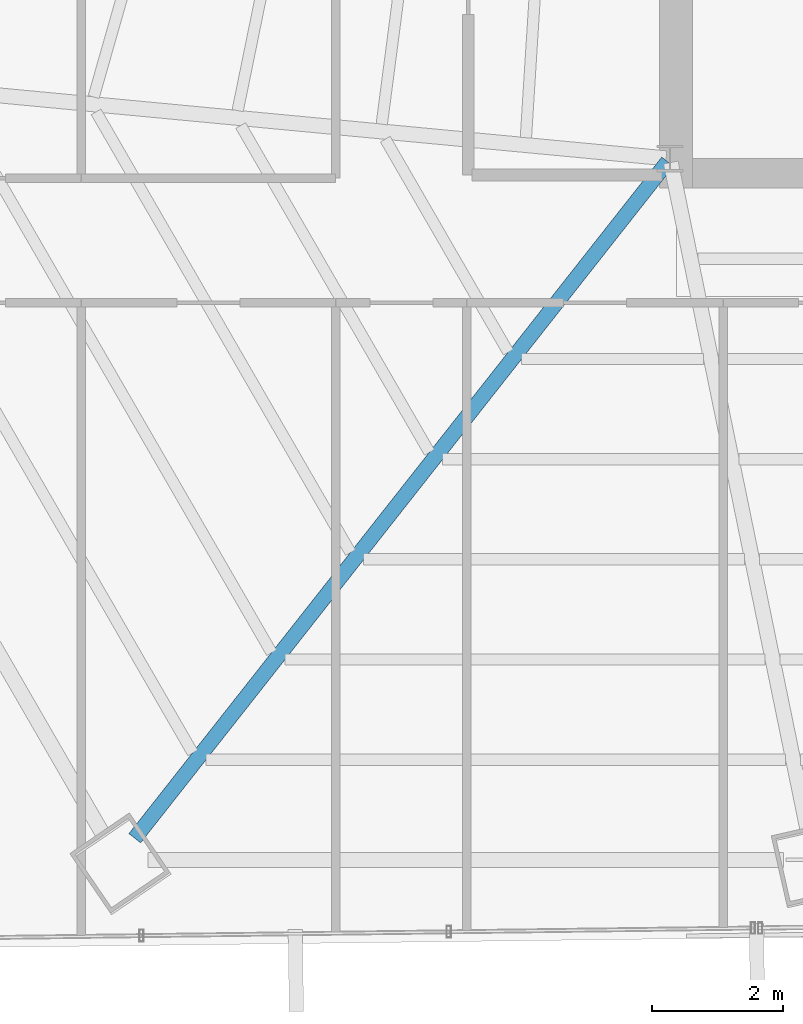
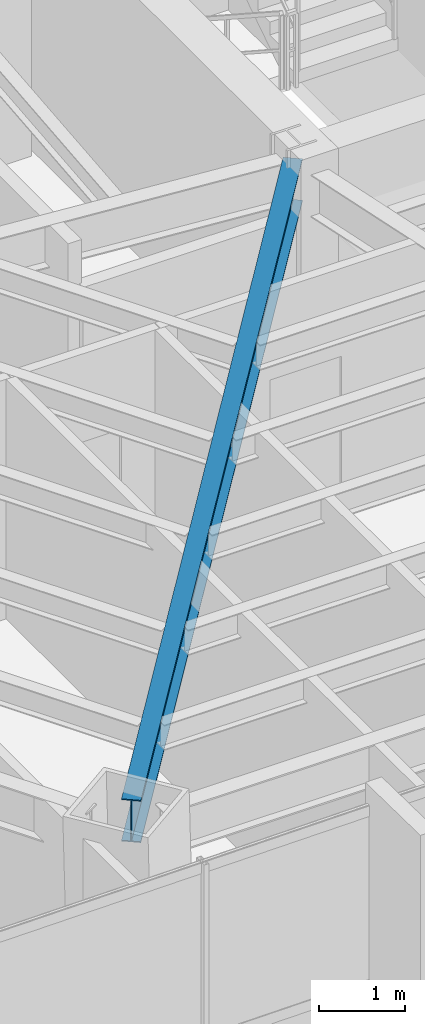
# One storey, part 6 of 37: 1 beam.
"""IFC4 building model written with IfcOpenShell, lengths in metres."""

import ifcopenshell
import ifcopenshell.guid

model = None  # the IFC model being written
_history = None  # IfcOwnerHistory: only IFC2X3 demands one
_inside = {}  # id of a spatial element -> (the spatial element, [elements in it])
_under = {}  # id of a project, library or spatial element -> (it, [spatial elements below it])
_declared = {}  # id of a project -> (the project, [libraries it declares])
_typed = {}  # id of a type object -> (the type object, [elements of that type])
_made_of = {}  # id of a material, layer set ... -> (it, [elements and type objects made of it])


def new_model(schema):
    """Start an empty IFC model of exactly this schema.

    Asked for "IFC4X3", IfcOpenShell would pick the latest addendum, in which some entities
    have other attributes; the version numbers below select the first issue.
    IFC2X3 requires an IfcOwnerHistory on every rooted entity: one is made here for all.
    """
    global model, _history
    if schema == "IFC4X3":
        model = ifcopenshell.file(schema_version=(4, 3, 0, 0))
    else:
        model = ifcopenshell.file(schema=schema)
    _inside.clear()
    _under.clear()
    _declared.clear()
    _typed.clear()
    _made_of.clear()
    _history = None
    if model.schema == "IFC2X3":
        org = make("IfcOrganization", Name="unknown")
        user = make(
            "IfcPersonAndOrganization",
            ThePerson=make("IfcPerson", FamilyName="unknown"),
            TheOrganization=org,
        )
        app = make(
            "IfcApplication",
            ApplicationDeveloper=org,
            Version="unknown",
            ApplicationFullName="unknown",
            ApplicationIdentifier="unknown",
        )
        _history = make(
            "IfcOwnerHistory",
            OwningUser=user,
            OwningApplication=app,
            ChangeAction="ADDED",
            CreationDate=0,
        )
    return model


def make(cls, **values):
    """One entity of the class cls with the attributes given. An attribute that is None is left unset."""
    return model.create_entity(
        cls, **{name: value for name, value in values.items() if value is not None}
    )


def rooted(cls, **values):
    """An entity with a GlobalId (a new one), such as an element, a storey or a relation."""
    return make(cls, GlobalId=ifcopenshell.guid.new(), OwnerHistory=_history, **values)


def si_unit(unit_type, name, prefix=None):
    """IfcSIUnit, for example si_unit("LENGTHUNIT", "METRE", prefix="MILLI")."""
    return make("IfcSIUnit", UnitType=unit_type, Prefix=prefix, Name=name)


def assignment(units):
    """IfcUnitAssignment: the units of a project."""
    return None if units is None else make("IfcUnitAssignment", Units=units)


def point(xyz):
    """IfcCartesianPoint."""
    return None if xyz is None else make("IfcCartesianPoint", Coordinates=xyz)


def direction(xyz):
    """IfcDirection."""
    return None if xyz is None else make("IfcDirection", DirectionRatios=xyz)


def frame(location, z_axis=None, x_axis=None):
    """IfcAxis2Placement3D, a coordinate frame: its origin and axes. An axis left out is left unset."""
    return make(
        "IfcAxis2Placement3D",
        Location=point(location),
        Axis=direction(z_axis),
        RefDirection=direction(x_axis),
    )


def frame_2d(location, x_axis=None):
    """IfcAxis2Placement2D, a coordinate frame in the plane: its origin and x axis."""
    return make(
        "IfcAxis2Placement2D", Location=point(location), RefDirection=direction(x_axis)
    )


def origin():
    """The frame at (0, 0, 0) with its axes left unset."""
    return frame((0.0, 0.0, 0.0))


def origin_2d():
    """The frame at (0, 0) in the plane with its x axis left unset."""
    return frame_2d((0.0, 0.0))


def place(relative_to, where):
    """IfcLocalPlacement: puts the frame where relative to a parent placement (None: the world)."""
    return make(
        "IfcLocalPlacement", PlacementRelTo=relative_to, RelativePlacement=where
    )


def context(
    kind, dimensions, precision=None, world=None, true_north=None, identifier=None
):
    """IfcGeometricRepresentationContext, for example the 3D "Model" context."""
    return make(
        "IfcGeometricRepresentationContext",
        ContextIdentifier=identifier,
        ContextType=kind,
        CoordinateSpaceDimension=dimensions,
        Precision=precision,
        WorldCoordinateSystem=world,
        TrueNorth=true_north,
    )


def subcontext(parent, identifier, kind, view, scale=None):
    """IfcGeometricRepresentationSubContext, for example "Body" below "Model"."""
    return make(
        "IfcGeometricRepresentationSubContext",
        ContextIdentifier=identifier,
        ContextType=kind,
        ParentContext=parent,
        TargetScale=scale,
        TargetView=view,
    )


def project(units=None, contexts=None):
    """IfcProject with its units and contexts."""
    return rooted(
        "IfcProject",
        Name="project",
        RepresentationContexts=contexts,
        UnitsInContext=assignment(units),
    )


def spatial(cls, under=None, at=None, **own):
    """A site, building, storey or space (cls), placed at a placement, below another one or the project."""
    s = rooted(cls, ObjectPlacement=at, **own)
    if under is not None:
        _under.setdefault(under.id(), (under, []))[1].append(s)
    return s


def profile(cls, at=None, kind="AREA", **sizes):
    """A parametric profile (cls). Its sizes go by their IFC names, for example OverallWidth=200.0."""
    return make(cls, ProfileType=kind, Position=at, **sizes)


def i_section(**sizes):
    """IfcIShapeProfileDef."""
    return profile("IfcIShapeProfileDef", **sizes)


def extrude(swept, where, along, depth):
    """IfcExtrudedAreaSolid: the profile swept, set in the frame where, extruded along a direction by depth."""
    return make(
        "IfcExtrudedAreaSolid",
        SweptArea=swept,
        Position=where,
        ExtrudedDirection=direction(along),
        Depth=depth,
    )


def shape(context_of_items, identifier, shape_type, items):
    """IfcShapeRepresentation: the items that make up one representation, for example the "Body"."""
    return make(
        "IfcShapeRepresentation",
        ContextOfItems=context_of_items,
        RepresentationIdentifier=identifier,
        RepresentationType=shape_type,
        Items=items,
    )


def source(mapping_origin, context_of_items, identifier, shape_type, items):
    """IfcRepresentationMap: a shape defined once, which mapped items show again and again."""
    return make(
        "IfcRepresentationMap",
        MappingOrigin=mapping_origin,
        MappedRepresentation=shape(context_of_items, identifier, shape_type, items),
    )


def transform(
    local_origin,
    x_axis=None,
    y_axis=None,
    z_axis=None,
    scale=None,
    scale2=None,
    scale3=None,
    uniform=True,
):
    """IfcCartesianTransformationOperator3D, or its non-uniform kind. x_axis, y_axis, z_axis: its Axis1, 2, 3."""
    if uniform:
        return make(
            "IfcCartesianTransformationOperator3D",
            Axis1=direction(x_axis),
            Axis2=direction(y_axis),
            LocalOrigin=point(local_origin),
            Scale=scale,
            Axis3=direction(z_axis),
        )
    return make(
        "IfcCartesianTransformationOperator3DnonUniform",
        Axis1=direction(x_axis),
        Axis2=direction(y_axis),
        LocalOrigin=point(local_origin),
        Scale=scale,
        Axis3=direction(z_axis),
        Scale2=scale2,
        Scale3=scale3,
    )


def mapped(mapping_source, mapping_target):
    """IfcMappedItem: shows the shape of a source again, moved by a transform."""
    return make(
        "IfcMappedItem", MappingSource=mapping_source, MappingTarget=mapping_target
    )


def material(Name=None, Category=None):
    """IfcMaterial."""
    return make("IfcMaterial", Name=Name, Category=Category)


def material_profile(
    of_material, cross_section, Name=None, Category=None, Priority=None
):
    """IfcMaterialProfile: a cross section and its material."""
    return make(
        "IfcMaterialProfile",
        Name=Name,
        Material=of_material,
        Profile=cross_section,
        Priority=Priority,
        Category=Category,
    )


def profile_set(profiles, Name=None, composite=None):
    """IfcMaterialProfileSet."""
    return make(
        "IfcMaterialProfileSet",
        Name=Name,
        MaterialProfiles=profiles,
        CompositeProfile=composite,
    )


def made_of(thing, what):
    """Note that an element or type object is made of a material, layer set ...; save() writes the relation."""
    if what is not None:
        _made_of.setdefault(what.id(), (what, []))[1].append(thing)
    return thing


def type_object(cls, material=None, **own):
    """A type object (cls), such as IfcWallType, which elements share."""
    return made_of(rooted(cls, **own), material)


def type_shapes(of_type, sources):
    """Give a type object the sources (RepresentationMaps) that its elements show as mapped items."""
    of_type.RepresentationMaps = sources


def element(
    cls,
    number,
    at=None,
    inside=None,
    cuts=None,
    type_object=None,
    material=None,
    context=None,
    identifier="Body",
    shape_type=None,
    held_by="IfcProductDefinitionShape",
    body=None,
    shapes=None,
    **own,
):
    """One element of the class cls, such as IfcWall. Its Tag is "e" and its number.

    at: its placement. inside: the storey or other place that contains it. cuts: it is an
    opening in that element (IfcRelVoidsElement). A single representation is given by context,
    identifier, shape_type and body (its items); several are given by shapes. held_by: the class
    of the entity that holds the representations. save() writes the other relations.
    """
    e = rooted(cls, Tag="e%d" % number, ObjectPlacement=at, **own)
    if body is not None:
        shapes = [shape(context, identifier, shape_type, body)]
    if shapes is not None:
        e.Representation = make(held_by, Representations=shapes)
    if inside is not None:
        _inside.setdefault(inside.id(), (inside, []))[1].append(e)
    if cuts is not None:
        rooted(
            "IfcRelVoidsElement", RelatingBuildingElement=cuts, RelatedOpeningElement=e
        )
    if type_object is not None:
        _typed.setdefault(type_object.id(), (type_object, []))[1].append(e)
    return made_of(e, material)


def aggregate(whole, parts):
    """IfcRelAggregates: a whole, such as a stair, and the parts it consists of."""
    return rooted("IfcRelAggregates", RelatingObject=whole, RelatedObjects=parts)


def save(model, path):
    """Write the relations noted so far, then the file.

    IfcRelAggregates (storeys below a building ...), IfcRelContainedInSpatialStructure (elements
    in a storey), IfcRelDefinesByType, IfcRelAssociatesMaterial and IfcRelDeclares: one each for
    every whole, place, type object, material and project.
    """
    for whole, parts in _under.values():
        aggregate(whole, parts)
    for where, things in _inside.values():
        rooted(
            "IfcRelContainedInSpatialStructure",
            RelatedElements=things,
            RelatingStructure=where,
        )
    for kind, things in _typed.values():
        rooted("IfcRelDefinesByType", RelatedObjects=things, RelatingType=kind)
    for what, things in _made_of.values():
        rooted("IfcRelAssociatesMaterial", RelatedObjects=things, RelatingMaterial=what)
    for by, libraries in _declared.values():
        rooted("IfcRelDeclares", RelatingContext=by, RelatedDefinitions=libraries)
    model.write(path)


model = new_model("IFC4")

# Units and contexts
model_context = context("Model", 3, precision=1e-05, world=origin(), true_north=direction((0.0, 1.0)))
body_context = subcontext(model_context, "Body", "Model", "MODEL_VIEW")
ifc_project = project(units=[si_unit("LENGTHUNIT", "METRE"), si_unit("AREAUNIT", "SQUARE_METRE"), si_unit("VOLUMEUNIT", "CUBIC_METRE"), si_unit("PLANEANGLEUNIT", "RADIAN"), si_unit("MASSUNIT", "GRAM", prefix="KILO")], contexts=[model_context])

# Site, building, storey
site_placement = place(None, origin())
site = spatial("IfcSite", under=ifc_project, at=site_placement, CompositionType="ELEMENT")
building_placement = place(site_placement, origin())
building = spatial("IfcBuilding", under=site, at=building_placement, Name="Caelisora Broadcast Tower", CompositionType="ELEMENT")
storey_placement = place(building_placement, frame((0.0, 0.0, 120.0)))
storey = spatial("IfcBuildingStorey", under=building, at=storey_placement, Name="L31", CompositionType="ELEMENT", Elevation=120.0)

# Beam
ifc_material = material(Name="Steel Grade 350 (AS/NZS 3679.1)", Category="steel")
ifc_material_profile = material_profile(ifc_material, i_section(OverallWidth=0.22802734375, OverallDepth=0.602294921875, WebThickness=0.010498046875, FlangeThickness=0.014892578125, at=origin_2d()), Name="Steel Grade 350 (AS/NZS 3679.1)")
ifc_profile_set = profile_set([ifc_material_profile], Name="Steel Grade 350 (AS/NZS 3679.1)")
beam_type = type_object("IfcBeamType", Name="PG04", PredefinedType="BEAM", material=ifc_profile_set)
shared_shape = source(origin(), body_context, "Body", "SweptSolid", [
    extrude(i_section(OverallWidth=0.22802734375, OverallDepth=0.602294921875, WebThickness=0.010498046875, FlangeThickness=0.014892578125, at=origin_2d()), origin(), (0.0, 0.0, 1.0), 13.13720703125),
])
type_shapes(beam_type, [shared_shape])
beam_placement = place(storey_placement, frame((30.462890625, 17.352783203125, 3.098876953125), z_axis=(-0.61876659336, -0.785574886909, 0.0), x_axis=(0.785574886909, -0.61876659336, 0.0)))
element("IfcBeam", 1, at=beam_placement, inside=storey, type_object=beam_type, Name="L31 beam PG04", PredefinedType="BEAM", context=body_context, shape_type="MappedRepresentation", body=[
    mapped(shared_shape, transform((0.0, 0.0, 0.0), scale=1.0)),
])

save(model, "model.ifc")
